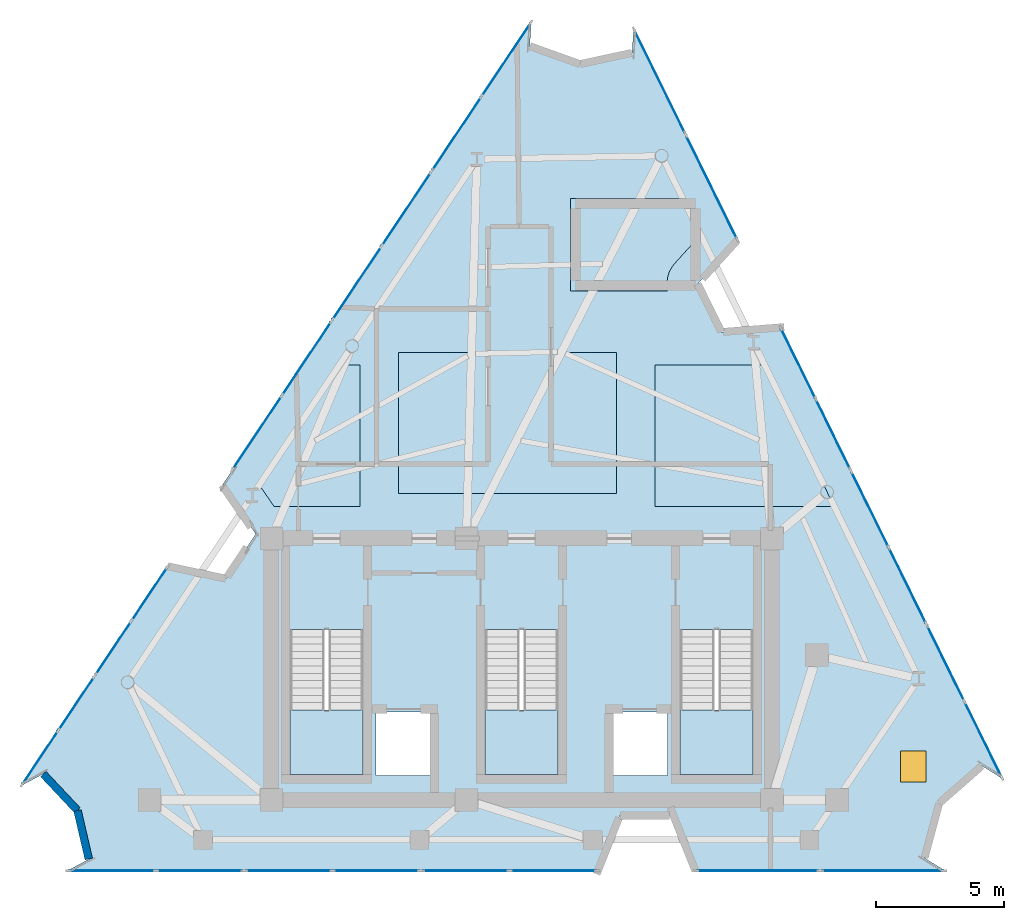
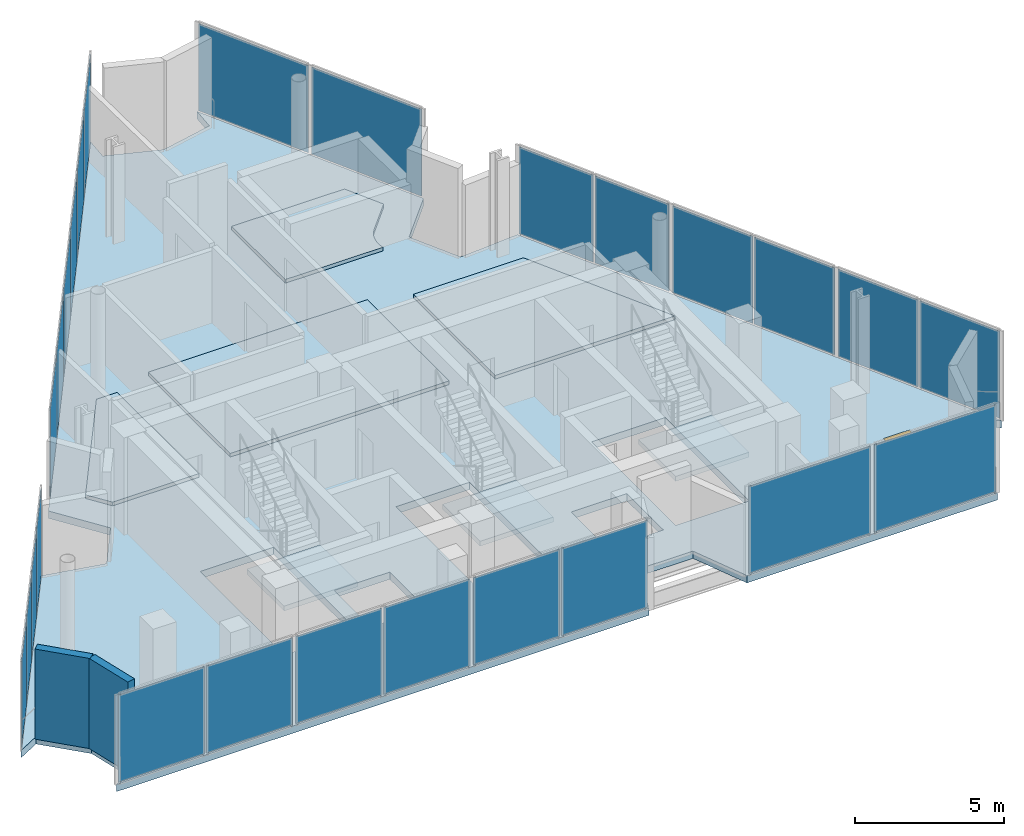
# One storey, part 5 of 9: 26 plates, 8 slabs, 2 walls, 1 door, 1 opening, 18 elements without a shape of their own.
"""IFC4 building model written with IfcOpenShell, lengths in metres."""

from ifc_helpers import new_model, si_unit, direction, frame, frame_2d, origin, origin_2d, place, context, subcontext, project, spatial, polyline, rectangle, outline, extrude, material, layer, layer_set, type_object, element, fill, aggregate, save


model = new_model("IFC4")

# Units and contexts
model_context = context("Model", 3, precision=1e-05, world=origin(), true_north=direction((0.0, 1.0)))
body_context = subcontext(model_context, "Body", "Model", "MODEL_VIEW")
ifc_project = project(units=[si_unit("LENGTHUNIT", "METRE"), si_unit("AREAUNIT", "SQUARE_METRE"), si_unit("VOLUMEUNIT", "CUBIC_METRE"), si_unit("PLANEANGLEUNIT", "RADIAN"), si_unit("MASSUNIT", "GRAM", prefix="KILO")], contexts=[model_context])

# Site, building, storey
site_placement = place(None, origin())
site = spatial("IfcSite", under=ifc_project, at=site_placement, CompositionType="ELEMENT")
building_placement = place(site_placement, origin())
building = spatial("IfcBuilding", under=site, at=building_placement, Name="Almagre Mirador Tower", CompositionType="ELEMENT")
storey_placement = place(building_placement, frame((0.0, 0.0, 306.5)))
storey = spatial("IfcBuildingStorey", under=building, at=storey_placement, Name="L79", CompositionType="ELEMENT", Elevation=306.5)

# Curtain wall, plates
ifc_material_1 = material(Name="Black anodized aluminium", Category="aluminium")
ifc_layer_1 = layer(ifc_material_1, 0.2099609375)
ifc_layer_set_1 = layer_set([ifc_layer_1], Name="Black anodized aluminium")
curtain_wall_type = type_object("IfcCurtainWallType", Name="CW-CRN-SYS", PredefinedType="NOTDEFINED", material=ifc_layer_set_1)
curtain_wall_1_placement = place(storey_placement, origin())
curtain_wall_1 = element("IfcCurtainWall", 1, at=curtain_wall_1_placement, inside=storey, type_object=curtain_wall_type, Name="L79 curtain wall run 01", PredefinedType="NOTDEFINED")
ifc_material_2 = material(Name="Dark solar-control laminated hurricane glass", Category="glass")
ifc_layer_2 = layer(ifc_material_2, 0.030029296875)
ifc_layer_set_2 = layer_set([ifc_layer_2], Name="Dark solar-control laminated hurricane glass")
plate_type = type_object("IfcPlateType", Name="PLT-SPN-30", PredefinedType="CURTAIN_PANEL", material=ifc_layer_set_2)
plate_1_placement = place(storey_placement, frame((18.54296875, 6.208251953125, 0.06494140625), z_axis=(0.0, 0.0, 1.0), x_axis=(0.555266892846, 0.831672217709, 0.0)))
plate_1 = element("IfcPlate", 2, at=plate_1_placement, type_object=plate_type, Name="CW-6 panel 1.1", PredefinedType="CURTAIN_PANEL", context=body_context, shape_type="SweptSolid", body=[
    extrude(rectangle(XDim=2.4599609375, YDim=0.030029296875, at=origin_2d()), origin(), (0.0, 0.0, 1.0), 3.570068359375),
])
plate_2_placement = place(storey_placement, frame((19.94775390625, 8.312255859375, 0.06494140625), z_axis=(0.0, 0.0, 1.0), x_axis=(0.555266892846, 0.831672217709, 0.0)))
plate_2 = element("IfcPlate", 3, at=plate_2_placement, type_object=plate_type, Name="CW-6 panel 2.1", PredefinedType="CURTAIN_PANEL", context=body_context, shape_type="SweptSolid", body=[
    extrude(rectangle(XDim=2.4599609375, YDim=0.030029296875, at=origin_2d()), origin(), (0.0, 0.0, 1.0), 3.570068359375),
])
aggregate(curtain_wall_1, [plate_1, plate_2])

curtain_wall_2_placement = place(storey_placement, origin())
curtain_wall_2 = element("IfcCurtainWall", 4, at=curtain_wall_2_placement, inside=storey, type_object=curtain_wall_type, Name="L79 curtain wall run 02", PredefinedType="NOTDEFINED")
plate_3_placement = place(storey_placement, frame((21.391357421875, 10.474609375, 0.06494140625), z_axis=(0.0, 0.0, 1.0), x_axis=(0.555266892846, 0.831672217709, 0.0)))
plate_3 = element("IfcPlate", 5, at=plate_3_placement, type_object=plate_type, Name="CW-6 panel 1.1", PredefinedType="CURTAIN_PANEL", context=body_context, shape_type="SweptSolid", body=[
    extrude(rectangle(XDim=2.4599609375, YDim=0.030029296875, at=origin_2d()), origin(), (0.0, 0.0, 1.0), 3.570068359375),
])
plate_4_placement = place(storey_placement, frame((22.796142578125, 12.57861328125, 0.06494140625), z_axis=(0.0, 0.0, 1.0), x_axis=(0.555266892846, 0.831672217709, 0.0)))
plate_4 = element("IfcPlate", 6, at=plate_4_placement, type_object=plate_type, Name="CW-6 panel 2.1", PredefinedType="CURTAIN_PANEL", context=body_context, shape_type="SweptSolid", body=[
    extrude(rectangle(XDim=2.4599609375, YDim=0.030029296875, at=origin_2d()), origin(), (0.0, 0.0, 1.0), 3.570068359375),
])
aggregate(curtain_wall_2, [plate_3, plate_4])

curtain_wall_3_placement = place(storey_placement, origin())
curtain_wall_3 = element("IfcCurtainWall", 7, at=curtain_wall_3_placement, inside=storey, type_object=curtain_wall_type, Name="L79 curtain wall run 03", PredefinedType="NOTDEFINED")
plate_5_placement = place(storey_placement, frame((26.996337890625, 18.87060546875, 0.06494140625), z_axis=(0.0, 0.0, 1.0), x_axis=(0.555217461378, 0.831705218561, 0.0)))
plate_5 = element("IfcPlate", 8, at=plate_5_placement, type_object=plate_type, Name="CW-6 panel 1.1", PredefinedType="CURTAIN_PANEL", context=body_context, shape_type="SweptSolid", body=[
    extrude(rectangle(XDim=3.396484375, YDim=0.030029296875, at=origin_2d()), origin(), (0.0, 0.0, 1.0), 3.570068359375),
])
plate_6_placement = place(storey_placement, frame((28.9208984375, 21.753662109375, 0.06494140625), z_axis=(0.0, 0.0, 1.0), x_axis=(0.555217461378, 0.831705218561, 0.0)))
plate_6 = element("IfcPlate", 9, at=plate_6_placement, type_object=plate_type, Name="CW-6 panel 2.1", PredefinedType="CURTAIN_PANEL", context=body_context, shape_type="SweptSolid", body=[
    extrude(rectangle(XDim=3.396484375, YDim=0.030029296875, at=origin_2d()), origin(), (0.0, 0.0, 1.0), 3.570068359375),
])
aggregate(curtain_wall_3, [plate_5, plate_6])

curtain_wall_4_placement = place(storey_placement, origin())
curtain_wall_4 = element("IfcCurtainWall", 10, at=curtain_wall_4_placement, inside=storey, type_object=curtain_wall_type, Name="L79 curtain wall run 04", PredefinedType="NOTDEFINED")
plate_7_placement = place(storey_placement, frame((30.88427734375, 24.69482421875, 0.06494140625), z_axis=(0.0, 0.0, 1.0), x_axis=(0.555233933367, 0.831694222198, 0.0)))
plate_7 = element("IfcPlate", 11, at=plate_7_placement, type_object=plate_type, Name="CW-6 panel 1.1", PredefinedType="CURTAIN_PANEL", context=body_context, shape_type="SweptSolid", body=[
    extrude(rectangle(XDim=3.396484375, YDim=0.030029296875, at=origin_2d()), origin(), (0.0, 0.0, 1.0), 3.570068359375),
])
plate_8_placement = place(storey_placement, frame((32.80908203125, 27.577880859375, 0.06494140625), z_axis=(0.0, 0.0, 1.0), x_axis=(0.555233933367, 0.831694222198, 0.0)))
plate_8 = element("IfcPlate", 12, at=plate_8_placement, type_object=plate_type, Name="CW-6 panel 2.1", PredefinedType="CURTAIN_PANEL", context=body_context, shape_type="SweptSolid", body=[
    extrude(rectangle(XDim=3.396484375, YDim=0.030029296875, at=origin_2d()), origin(), (0.0, 0.0, 1.0), 3.570068359375),
])
aggregate(curtain_wall_4, [plate_7, plate_8])

curtain_wall_5_placement = place(storey_placement, origin())
curtain_wall_5 = element("IfcCurtainWall", 13, at=curtain_wall_5_placement, inside=storey, type_object=curtain_wall_type, Name="L79 curtain wall run 05", PredefinedType="NOTDEFINED")
plate_9_placement = place(storey_placement, frame((34.7724609375, 30.51904296875, 0.06494140625), z_axis=(0.0, 0.0, 1.0), x_axis=(0.555217461378, 0.831705218561, 0.0)))
plate_9 = element("IfcPlate", 14, at=plate_9_placement, type_object=plate_type, Name="CW-6 panel 1.1", PredefinedType="CURTAIN_PANEL", context=body_context, shape_type="SweptSolid", body=[
    extrude(rectangle(XDim=3.396484375, YDim=0.030029296875, at=origin_2d()), origin(), (0.0, 0.0, 1.0), 3.570068359375),
])
plate_10_placement = place(storey_placement, frame((36.697265625, 33.402099609375, 0.06494140625), z_axis=(0.0, 0.0, 1.0), x_axis=(0.555217461378, 0.831705218561, 0.0)))
plate_10 = element("IfcPlate", 15, at=plate_10_placement, type_object=plate_type, Name="CW-6 panel 2.1", PredefinedType="CURTAIN_PANEL", context=body_context, shape_type="SweptSolid", body=[
    extrude(rectangle(XDim=3.396484375, YDim=0.030029296875, at=origin_2d()), origin(), (0.0, 0.0, 1.0), 3.570068359375),
])
aggregate(curtain_wall_5, [plate_9, plate_10])

# Curtain wall, plate
curtain_wall_6_placement = place(storey_placement, origin())
curtain_wall_6 = element("IfcCurtainWall", 16, at=curtain_wall_6_placement, inside=storey, type_object=curtain_wall_type, Name="L79 curtain wall run 06", PredefinedType="NOTDEFINED")
plate_11_placement = place(storey_placement, frame((42.6767578125, 32.55322265625, 0.06494140625), z_axis=(0.0, 0.0, 1.0), x_axis=(0.441228690585, -0.897394697223, 0.0)))
plate_11 = element("IfcPlate", 17, at=plate_11_placement, type_object=plate_type, Name="CW-6 panel 1.1", PredefinedType="CURTAIN_PANEL", context=body_context, shape_type="SweptSolid", body=[
    extrude(rectangle(XDim=4.44580078125, YDim=0.030029296875, at=origin_2d()), origin(), (0.0, 0.0, 1.0), 3.570068359375),
])
aggregate(curtain_wall_6, [plate_11])

curtain_wall_7_placement = place(storey_placement, origin())
curtain_wall_7 = element("IfcCurtainWall", 18, at=curtain_wall_7_placement, inside=storey, type_object=curtain_wall_type, Name="L79 curtain wall run 07", PredefinedType="NOTDEFINED")
plate_12_placement = place(storey_placement, frame((44.7001953125, 28.437744140625, 0.06494140625), z_axis=(0.0, 0.0, 1.0), x_axis=(0.441228690585, -0.897394697223, 0.0)))
plate_12 = element("IfcPlate", 19, at=plate_12_placement, type_object=plate_type, Name="CW-6 panel 1.1", PredefinedType="CURTAIN_PANEL", context=body_context, shape_type="SweptSolid", body=[
    extrude(rectangle(XDim=4.44580078125, YDim=0.030029296875, at=origin_2d()), origin(), (0.0, 0.0, 1.0), 3.570068359375),
])
aggregate(curtain_wall_7, [plate_12])

# Curtain wall, plates
curtain_wall_8_placement = place(storey_placement, origin())
curtain_wall_8 = element("IfcCurtainWall", 20, at=curtain_wall_8_placement, inside=storey, type_object=curtain_wall_type, Name="L79 curtain wall run 08", PredefinedType="NOTDEFINED")
plate_13_placement = place(storey_placement, frame((48.08154296875, 21.561767578125, 0.06494140625), z_axis=(0.0, 0.0, 1.0), x_axis=(0.44130072712, -0.897359274897, 0.0)))
plate_13 = element("IfcPlate", 21, at=plate_13_placement, type_object=plate_type, Name="CW-6 panel 1.1", PredefinedType="CURTAIN_PANEL", context=body_context, shape_type="SweptSolid", body=[
    extrude(rectangle(XDim=2.99853515625, YDim=0.030029296875, at=origin_2d()), origin(), (0.0, 0.0, 1.0), 3.570068359375),
])
plate_14_placement = place(storey_placement, frame((49.435791015625, 18.80810546875, 0.06494140625), z_axis=(0.0, 0.0, 1.0), x_axis=(0.44130072712, -0.897359274897, 0.0)))
plate_14 = element("IfcPlate", 22, at=plate_14_placement, type_object=plate_type, Name="CW-6 panel 2.1", PredefinedType="CURTAIN_PANEL", context=body_context, shape_type="SweptSolid", body=[
    extrude(rectangle(XDim=2.99853515625, YDim=0.030029296875, at=origin_2d()), origin(), (0.0, 0.0, 1.0), 3.570068359375),
])
aggregate(curtain_wall_8, [plate_13, plate_14])

curtain_wall_9_placement = place(storey_placement, origin())
curtain_wall_9 = element("IfcCurtainWall", 23, at=curtain_wall_9_placement, inside=storey, type_object=curtain_wall_type, Name="L79 curtain wall run 09", PredefinedType="NOTDEFINED")
plate_15_placement = place(storey_placement, frame((50.874267578125, 15.883056640625, 0.06494140625), z_axis=(0.0, 0.0, 1.0), x_axis=(0.441310581967, -0.897354428441, 0.0)))
plate_15 = element("IfcPlate", 24, at=plate_15_placement, type_object=plate_type, Name="CW-6 panel 1.1", PredefinedType="CURTAIN_PANEL", context=body_context, shape_type="SweptSolid", body=[
    extrude(rectangle(XDim=3.2412109375, YDim=0.030029296875, at=origin_2d()), origin(), (0.0, 0.0, 1.0), 3.570068359375),
])
plate_16_placement = place(storey_placement, frame((52.33544921875, 12.91162109375, 0.06494140625), z_axis=(0.0, 0.0, 1.0), x_axis=(0.441310581967, -0.897354428441, 0.0)))
plate_16 = element("IfcPlate", 25, at=plate_16_placement, type_object=plate_type, Name="CW-6 panel 2.1", PredefinedType="CURTAIN_PANEL", context=body_context, shape_type="SweptSolid", body=[
    extrude(rectangle(XDim=3.2412109375, YDim=0.030029296875, at=origin_2d()), origin(), (0.0, 0.0, 1.0), 3.570068359375),
])
aggregate(curtain_wall_9, [plate_15, plate_16])

curtain_wall_10_placement = place(storey_placement, origin())
curtain_wall_10 = element("IfcCurtainWall", 26, at=curtain_wall_10_placement, inside=storey, type_object=curtain_wall_type, Name="L79 curtain wall run 10", PredefinedType="NOTDEFINED")
plate_17_placement = place(storey_placement, frame((53.82763671875, 9.87744140625, 0.06494140625), z_axis=(0.0, 0.0, 1.0), x_axis=(0.441298549508, -0.897360345793, 0.0)))
plate_17 = element("IfcPlate", 27, at=plate_17_placement, type_object=plate_type, Name="CW-6 panel 1.1", PredefinedType="CURTAIN_PANEL", context=body_context, shape_type="SweptSolid", body=[
    extrude(rectangle(XDim=3.2412109375, YDim=0.030029296875, at=origin_2d()), origin(), (0.0, 0.0, 1.0), 3.570068359375),
])
plate_18_placement = place(storey_placement, frame((55.288818359375, 6.90625, 0.06494140625), z_axis=(0.0, 0.0, 1.0), x_axis=(0.441298549508, -0.897360345793, 0.0)))
plate_18 = element("IfcPlate", 28, at=plate_18_placement, type_object=plate_type, Name="CW-6 panel 2.1", PredefinedType="CURTAIN_PANEL", context=body_context, shape_type="SweptSolid", body=[
    extrude(rectangle(XDim=3.2412109375, YDim=0.030029296875, at=origin_2d()), origin(), (0.0, 0.0, 1.0), 3.570068359375),
])
aggregate(curtain_wall_10, [plate_17, plate_18])

# Curtain wall, plate
curtain_wall_11_placement = place(storey_placement, origin())
curtain_wall_11 = element("IfcCurtainWall", 29, at=curtain_wall_11_placement, inside=storey, type_object=curtain_wall_type, Name="L79 curtain wall run 11", PredefinedType="NOTDEFINED")
plate_19_placement = place(storey_placement, frame((51.367919921875, 1.800048828125, 0.06494140625), z_axis=(0.0, 0.0, 1.0), x_axis=(-1.0, 0.0, 0.0)))
plate_19 = element("IfcPlate", 30, at=plate_19_placement, type_object=plate_type, Name="CW-6 panel 1.1", PredefinedType="CURTAIN_PANEL", context=body_context, shape_type="SweptSolid", body=[
    extrude(rectangle(XDim=4.723876953125, YDim=0.030029296875, at=origin_2d()), origin(), (0.0, 0.0, 1.0), 3.570068359375),
])
aggregate(curtain_wall_11, [plate_19])

curtain_wall_12_placement = place(storey_placement, origin())
curtain_wall_12 = element("IfcCurtainWall", 31, at=curtain_wall_12_placement, inside=storey, type_object=curtain_wall_type, Name="L79 curtain wall run 12", PredefinedType="NOTDEFINED")
plate_20_placement = place(storey_placement, frame((46.504150390625, 1.800048828125, 0.06494140625), z_axis=(0.0, 0.0, 1.0), x_axis=(-1.0, 0.0, 0.0)))
plate_20 = element("IfcPlate", 32, at=plate_20_placement, type_object=plate_type, Name="CW-6 panel 1.1", PredefinedType="CURTAIN_PANEL", context=body_context, shape_type="SweptSolid", body=[
    extrude(rectangle(XDim=4.723876953125, YDim=0.030029296875, at=origin_2d()), origin(), (0.0, 0.0, 1.0), 3.570068359375),
])
aggregate(curtain_wall_12, [plate_20])

# Curtain wall, plates
curtain_wall_13_placement = place(storey_placement, origin())
curtain_wall_13 = element("IfcCurtainWall", 33, at=curtain_wall_13_placement, inside=storey, type_object=curtain_wall_type, Name="L79 curtain wall run 13", PredefinedType="NOTDEFINED")
plate_21_placement = place(storey_placement, frame((38.53173828125, 1.800048828125, 0.06494140625), z_axis=(0.0, 0.0, 1.0), x_axis=(-1.0, 0.0, 0.0)))
plate_21 = element("IfcPlate", 34, at=plate_21_placement, type_object=plate_type, Name="CW-6 panel 1.1", PredefinedType="CURTAIN_PANEL", context=body_context, shape_type="SweptSolid", body=[
    extrude(rectangle(XDim=3.34033203125, YDim=0.030029296875, at=origin_2d()), origin(), (0.0, 0.0, 1.0), 3.570068359375),
])
plate_22_placement = place(storey_placement, frame((35.121337890625, 1.800048828125, 0.06494140625), z_axis=(0.0, 0.0, 1.0), x_axis=(-1.0, 0.0, 0.0)))
plate_22 = element("IfcPlate", 35, at=plate_22_placement, type_object=plate_type, Name="CW-6 panel 2.1", PredefinedType="CURTAIN_PANEL", context=body_context, shape_type="SweptSolid", body=[
    extrude(rectangle(XDim=3.34033203125, YDim=0.030029296875, at=origin_2d()), origin(), (0.0, 0.0, 1.0), 3.570068359375),
])
aggregate(curtain_wall_13, [plate_21, plate_22])

curtain_wall_14_placement = place(storey_placement, origin())
curtain_wall_14 = element("IfcCurtainWall", 36, at=curtain_wall_14_placement, inside=storey, type_object=curtain_wall_type, Name="L79 curtain wall run 14", PredefinedType="NOTDEFINED")
plate_23_placement = place(storey_placement, frame((31.64111328125, 1.800048828125, 0.06494140625), z_axis=(0.0, 0.0, 1.0), x_axis=(-1.0, 0.0, 0.0)))
plate_23 = element("IfcPlate", 37, at=plate_23_placement, type_object=plate_type, Name="CW-6 panel 1.1", PredefinedType="CURTAIN_PANEL", context=body_context, shape_type="SweptSolid", body=[
    extrude(rectangle(XDim=3.34033203125, YDim=0.030029296875, at=origin_2d()), origin(), (0.0, 0.0, 1.0), 3.570068359375),
])
plate_24_placement = place(storey_placement, frame((28.230712890625, 1.800048828125, 0.06494140625), z_axis=(0.0, 0.0, 1.0), x_axis=(-1.0, 0.0, 0.0)))
plate_24 = element("IfcPlate", 38, at=plate_24_placement, type_object=plate_type, Name="CW-6 panel 2.1", PredefinedType="CURTAIN_PANEL", context=body_context, shape_type="SweptSolid", body=[
    extrude(rectangle(XDim=3.34033203125, YDim=0.030029296875, at=origin_2d()), origin(), (0.0, 0.0, 1.0), 3.570068359375),
])
aggregate(curtain_wall_14, [plate_23, plate_24])

curtain_wall_15_placement = place(storey_placement, origin())
curtain_wall_15 = element("IfcCurtainWall", 39, at=curtain_wall_15_placement, inside=storey, type_object=curtain_wall_type, Name="L79 curtain wall run 15", PredefinedType="NOTDEFINED")
plate_25_placement = place(storey_placement, frame((24.75048828125, 1.800048828125, 0.06494140625), z_axis=(0.0, 0.0, 1.0), x_axis=(-1.0, 0.0, 0.0)))
plate_25 = element("IfcPlate", 40, at=plate_25_placement, type_object=plate_type, Name="CW-6 panel 1.1", PredefinedType="CURTAIN_PANEL", context=body_context, shape_type="SweptSolid", body=[
    extrude(rectangle(XDim=3.34033203125, YDim=0.030029296875, at=origin_2d()), origin(), (0.0, 0.0, 1.0), 3.570068359375),
])
plate_26_placement = place(storey_placement, frame((21.34033203125, 1.800048828125, 0.06494140625), z_axis=(0.0, 0.0, 1.0), x_axis=(-1.0, 0.0, 0.0)))
plate_26 = element("IfcPlate", 41, at=plate_26_placement, type_object=plate_type, Name="CW-6 panel 2.1", PredefinedType="CURTAIN_PANEL", context=body_context, shape_type="SweptSolid", body=[
    extrude(rectangle(XDim=3.34033203125, YDim=0.030029296875, at=origin_2d()), origin(), (0.0, 0.0, 1.0), 3.570068359375),
])
aggregate(curtain_wall_15, [plate_25, plate_26])

# Slab, opening, door
ifc_material_3 = material(Name="Concrete C45/55", Category="concrete")
ifc_layer_3 = layer(ifc_material_3, 0.300048828125)
ifc_layer_set_3 = layer_set([ifc_layer_3], Name="Concrete C45/55")
slab_type_1 = type_object("IfcSlabType", Name="SLB-FLR-300", PredefinedType="FLOOR", material=ifc_layer_set_3)
slab_1_placement = place(storey_placement, frame((0.0, 0.0, -0.300048828125)))
slab_1 = element("IfcSlab", 42, at=slab_1_placement, inside=storey, type_object=slab_type_1, Name="L79 structural floor slab", PredefinedType="FLOOR", context=body_context, shape_type="SweptSolid", body=[
    extrude(outline(polyline([(17.8212890625, 5.127197265625), (18.647216796875, 5.568359375), (18.648193359375, 5.56884765625), (18.649169921875, 5.569091796875), (18.650146484375, 5.5693359375), (18.651123046875, 5.569580078125), (18.652099609375, 5.569580078125), (18.653076171875, 5.569580078125), (18.654052734375, 5.5693359375), (18.655029296875, 5.569091796875), (18.656005859375, 5.568603515625), (18.656982421875, 5.568359375), (18.65771484375, 5.567626953125), (18.658447265625, 5.567138671875), (18.6591796875, 5.56640625), (19.9892578125, 4.14990234375), (19.98974609375, 4.149169921875), (19.990478515625, 4.148193359375), (19.990966796875, 4.1474609375), (19.9912109375, 4.146484375), (19.99169921875, 4.1455078125), (20.431396484375, 2.25341796875), (20.431396484375, 2.25244140625), (20.431396484375, 2.25146484375), (20.431396484375, 2.25048828125), (20.431396484375, 2.24951171875), (20.43115234375, 2.24853515625), (20.430908203125, 2.24755859375), (20.430419921875, 2.24658203125), (20.429931640625, 2.245849609375), (20.42919921875, 2.244873046875), (20.4287109375, 2.244140625), (20.427978515625, 2.243408203125), (20.427001953125, 2.242919921875), (20.42626953125, 2.242431640625), (19.60009765625, 1.800048828125), (19.60009765625, 1.800048828125), (19.60009765625, 1.800048828125), (40.271728515625, 1.800048828125), (40.27197265625, 1.800048828125), (40.272216796875, 1.80029296875), (41.12451171875, 3.943603515625), (41.125, 3.944580078125), (41.12548828125, 3.945556640625), (41.1259765625, 3.9462890625), (41.126708984375, 3.947021484375), (41.12744140625, 3.94775390625), (41.128173828125, 3.9482421875), (41.12890625, 3.94873046875), (41.1298828125, 3.94921875), (41.130859375, 3.94970703125), (41.1318359375, 3.94970703125), (41.1328125, 3.949951171875), (41.1337890625, 3.949951171875), (43.210205078125, 3.949951171875), (43.211181640625, 3.949951171875), (43.212158203125, 3.94970703125), (43.213134765625, 3.94970703125), (43.214111328125, 3.94921875), (43.215087890625, 3.94873046875), (43.2158203125, 3.9482421875), (43.216552734375, 3.94775390625), (43.21728515625, 3.947021484375), (43.218017578125, 3.9462890625), (43.218505859375, 3.945556640625), (43.218994140625, 3.944580078125), (43.219482421875, 3.943603515625), (44.072021484375, 1.80029296875), (44.072021484375, 1.800048828125), (44.072265625, 1.800048828125), (53.7998046875, 1.800048828125), (53.800048828125, 1.800048828125), (53.7998046875, 1.800048828125), (53.00439453125, 2.295166015625), (53.00341796875, 2.295654296875), (53.002685546875, 2.29638671875), (53.002197265625, 2.297119140625), (53.00146484375, 2.297607421875), (53.0009765625, 2.298583984375), (53.00048828125, 2.29931640625), (53.0, 2.30029296875), (52.999755859375, 2.30126953125), (52.999755859375, 2.30224609375), (52.99951171875, 2.30322265625), (52.99951171875, 2.30419921875), (52.999755859375, 2.30517578125), (53.0, 2.30615234375), (53.5712890625, 4.42919921875), (53.571533203125, 4.429931640625), (53.572021484375, 4.430908203125), (53.572509765625, 4.431884765625), (53.572998046875, 4.4326171875), (53.573486328125, 4.433349609375), (53.57421875, 4.43408203125), (55.227294921875, 5.884033203125), (55.228271484375, 5.884765625), (55.22900390625, 5.88525390625), (55.22998046875, 5.8857421875), (55.230712890625, 5.885986328125), (55.231689453125, 5.88623046875), (55.232666015625, 5.886474609375), (55.233642578125, 5.88671875), (55.234619140625, 5.88671875), (55.235595703125, 5.886474609375), (55.236572265625, 5.88623046875), (55.237548828125, 5.885986328125), (55.23828125, 5.885498046875), (55.2392578125, 5.885009765625), (56.034912109375, 5.38916015625), (56.034912109375, 5.388916015625), (56.034912109375, 5.38916015625), (50.128173828125, 17.39990234375), (47.38916015625, 22.9697265625), (47.388916015625, 22.969970703125), (47.388916015625, 22.969970703125), (45.08984375, 22.78955078125), (45.0888671875, 22.78955078125), (45.087890625, 22.78955078125), (45.0869140625, 22.789794921875), (45.085693359375, 22.7900390625), (45.0849609375, 22.790283203125), (45.083984375, 22.790771484375), (45.083251953125, 22.791259765625), (45.08251953125, 22.7919921875), (45.081787109375, 22.79248046875), (45.0810546875, 22.79345703125), (45.08056640625, 22.794189453125), (45.080078125, 22.795166015625), (44.1630859375, 24.657958984375), (44.16259765625, 24.65869140625), (44.162353515625, 24.659912109375), (44.162109375, 24.66064453125), (44.162109375, 24.66162109375), (44.162109375, 24.66259765625), (44.162109375, 24.663818359375), (44.162353515625, 24.664794921875), (44.16259765625, 24.66552734375), (44.162841796875, 24.66650390625), (44.163330078125, 24.66748046875), (44.163818359375, 24.668212890625), (44.16455078125, 24.6689453125), (45.7119140625, 26.3798828125), (45.7119140625, 26.3798828125), (45.7119140625, 26.380126953125), (41.6650390625, 34.61083984375), (41.6650390625, 34.611083984375), (41.6650390625, 34.61083984375), (41.603515625, 33.675537109375), (41.603515625, 33.674560546875), (41.603271484375, 33.673583984375), (41.602783203125, 33.672607421875), (41.6025390625, 33.671630859375), (41.60205078125, 33.6708984375), (41.601318359375, 33.669921875), (41.600830078125, 33.669189453125), (41.60009765625, 33.668701171875), (41.59912109375, 33.66796875), (41.598388671875, 33.66748046875), (41.597412109375, 33.6669921875), (41.5966796875, 33.666748046875), (41.595703125, 33.66650390625), (39.57568359375, 33.231689453125), (39.574951171875, 33.2314453125), (39.573974609375, 33.2314453125), (39.572998046875, 33.2314453125), (39.572021484375, 33.2314453125), (39.5712890625, 33.231689453125), (39.5703125, 33.23193359375), (37.6240234375, 33.927490234375), (37.623291015625, 33.927734375), (37.622314453125, 33.92822265625), (37.62158203125, 33.928955078125), (37.62060546875, 33.929443359375), (37.6201171875, 33.93017578125), (37.619384765625, 33.930908203125), (37.618896484375, 33.931884765625), (37.618408203125, 33.9326171875), (37.617919921875, 33.93359375), (37.61767578125, 33.9345703125), (37.61767578125, 33.935546875), (37.617431640625, 33.9365234375), (37.617431640625, 33.9375), (37.678955078125, 34.872802734375), (37.678955078125, 34.873046875), (37.678955078125, 34.872802734375), (26.014404296875, 17.39990234375), (25.628173828125, 16.8212890625), (25.6279296875, 16.821044921875), (25.628173828125, 16.82080078125), (26.937255859375, 14.921630859375), (26.937744140625, 14.920654296875), (26.93798828125, 14.919921875), (26.9384765625, 14.9189453125), (26.938720703125, 14.91796875), (26.93896484375, 14.9169921875), (26.93896484375, 14.916015625), (26.93896484375, 14.9150390625), (26.938720703125, 14.9140625), (26.9384765625, 14.9130859375), (26.938232421875, 14.912109375), (26.937744140625, 14.9111328125), (26.937255859375, 14.910400390625), (25.784912109375, 13.18359375), (25.7841796875, 13.182861328125), (25.783447265625, 13.18212890625), (25.78271484375, 13.181396484375), (25.781982421875, 13.180908203125), (25.781005859375, 13.180419921875), (25.7802734375, 13.179931640625), (25.779296875, 13.1796875), (25.7783203125, 13.179443359375), (25.77734375, 13.17919921875), (25.7763671875, 13.17919921875), (25.775390625, 13.17919921875), (25.7744140625, 13.179443359375), (23.518310546875, 13.659912109375), (23.51806640625, 13.659912109375), (23.517822265625, 13.659912109375), (17.821044921875, 5.127197265625), (17.821044921875, 5.126953125), (17.8212890625, 5.127197265625)]), holes=[polyline([(43.47509765625, 5.550048828125), (43.47509765625, 11.196044921875), (46.324951171875, 11.196044921875), (46.324951171875, 5.550048828125), (43.47509765625, 5.550048828125)]), polyline([(42.97998046875, 7.97998046875), (42.97998046875, 5.52001953125), (40.820068359375, 5.52001953125), (40.820068359375, 7.97998046875), (42.97998046875, 7.97998046875)]), polyline([(35.875, 5.550048828125), (35.875, 11.196044921875), (38.72509765625, 11.196044921875), (38.72509765625, 5.550048828125), (35.875, 5.550048828125)]), polyline([(33.780029296875, 7.97998046875), (33.780029296875, 5.52001953125), (31.6201171875, 5.52001953125), (31.6201171875, 7.97998046875), (33.780029296875, 7.97998046875)]), polyline([(31.125, 5.550048828125), (28.27490234375, 5.550048828125), (28.27490234375, 11.196044921875), (31.125, 11.196044921875), (31.125, 5.550048828125)])]), origin(), (0.0, 0.0, 1.0), 0.300048828125),
])
opening_placement = place(slab_1_placement, frame((52.56103515625, 5.85595703125, 0.0)))
opening = element("IfcOpeningElement", 43, at=opening_placement, cuts=slab_1, Name="Opening RH-01", PredefinedType="OPENING", context=body_context, shape_type="SweptSolid", body=[
    extrude(rectangle(XDim=1.0, YDim=1.199951171875, at=origin_2d()), origin(), (0.0, 0.0, 1.0), 0.300048828125),
])
ifc_material_4 = material(Name="Insulated aluminium roof hatch", Category="aluminium")
door_type = type_object("IfcDoorType", Name="DOR-HAT-1000X1200", OperationType="SINGLE_SWING_LEFT", PredefinedType="TRAPDOOR", material=ifc_material_4)
door_placement = place(opening_placement, frame((0.0, 0.0, 0.25)))
door = element("IfcDoor", 44, at=door_placement, inside=storey, type_object=door_type, Name="DR-2333 L79 mechanical access hatch RH-03", OperationType="SINGLE_SWING_LEFT", OverallHeight=1.199951171875, OverallWidth=1.0, PredefinedType="TRAPDOOR", context=body_context, shape_type="SweptSolid", body=[
    extrude(rectangle(XDim=1.0, YDim=1.199951171875, at=origin_2d()), origin(), (0.0, 0.0, 1.0), 0.050048828125),
])
fill(opening, door)

# Stair, slab
ifc_material_5 = material(Name="Concrete C45/55", Category="concrete")
stair_type = type_object("IfcStairType", Name="STR-DL-4000", PredefinedType="HALF_TURN_STAIR", material=ifc_material_5)
stair_1_placement = place(storey_placement, origin())
stair_1 = element("IfcStair", 45, at=stair_1_placement, inside=storey, type_object=stair_type, Name="L79 Protected exit stair ST-1", PredefinedType="HALF_TURN_STAIR")
ifc_material_6 = material(Name="Concrete C45/55", Category="concrete")
ifc_layer_4 = layer(ifc_material_6, 0.199951171875)
ifc_layer_set_4 = layer_set([ifc_layer_4], Name="Concrete C45/55")
slab_type_2 = type_object("IfcSlabType", Name="SLB-LND-200", PredefinedType="LANDING", material=ifc_layer_set_4)
slab_2_placement = place(storey_placement, frame((0.0, 0.0, 1.800048828125)))
slab_2 = element("IfcSlab", 46, at=slab_2_placement, type_object=slab_type_2, Name="ST-1 landing 1", PredefinedType="LANDING", context=body_context, shape_type="SweptSolid", body=[
    extrude(outline(polyline([(28.27490234375, 8.06494140625), (28.27490234375, 5.550048828125), (31.125, 5.550048828125), (31.125, 8.06494140625), (28.27490234375, 8.06494140625)])), origin(), (0.0, 0.0, 1.0), 0.199951171875),
])
aggregate(stair_1, [slab_2])

stair_2_placement = place(storey_placement, origin())
stair_2 = element("IfcStair", 47, at=stair_2_placement, inside=storey, type_object=stair_type, Name="L79 Protected exit stair ST-2", PredefinedType="HALF_TURN_STAIR")
slab_3_placement = place(storey_placement, frame((0.0, 0.0, 1.800048828125)))
slab_3 = element("IfcSlab", 48, at=slab_3_placement, type_object=slab_type_2, Name="ST-2 landing 1", PredefinedType="LANDING", context=body_context, shape_type="SweptSolid", body=[
    extrude(outline(polyline([(35.875, 8.06494140625), (35.875, 5.550048828125), (38.72509765625, 5.550048828125), (38.72509765625, 8.06494140625), (35.875, 8.06494140625)])), origin(), (0.0, 0.0, 1.0), 0.199951171875),
])
aggregate(stair_2, [slab_3])

stair_3_placement = place(storey_placement, origin())
stair_3 = element("IfcStair", 49, at=stair_3_placement, inside=storey, type_object=stair_type, Name="L79 Protected exit stair ST-3", PredefinedType="HALF_TURN_STAIR")
slab_4_placement = place(storey_placement, frame((0.0, 0.0, 1.800048828125)))
slab_4 = element("IfcSlab", 50, at=slab_4_placement, type_object=slab_type_2, Name="ST-3 landing 1", PredefinedType="LANDING", context=body_context, shape_type="SweptSolid", body=[
    extrude(outline(polyline([(43.47509765625, 8.06494140625), (43.47509765625, 5.550048828125), (46.324951171875, 5.550048828125), (46.324951171875, 8.06494140625), (43.47509765625, 8.06494140625)])), origin(), (0.0, 0.0, 1.0), 0.199951171875),
])
aggregate(stair_3, [slab_4])

# Slabs
ifc_material_7 = material(Name="Concrete C45/55", Category="concrete")
ifc_layer_5 = layer(ifc_material_7, 0.14990234375)
ifc_layer_set_5 = layer_set([ifc_layer_5], Name="Concrete C45/55")
slab_type_3 = type_object("IfcSlabType", Name="SLB-PLN-150", PredefinedType="FLOOR", material=ifc_layer_set_5)
slab_5_placement = place(storey_placement, origin())
element("IfcSlab", 51, at=slab_5_placement, inside=storey, type_object=slab_type_3, Name="L79 Chiller Plant Plinth", PredefinedType="FLOOR", context=body_context, shape_type="SweptSolid", body=[
    extrude(outline(polyline([(30.1943359375, 21.5), (27.077880859375, 16.831787109375), (27.6513671875, 16.0), (31.0, 16.0), (31.0, 21.5), (30.1943359375, 21.5)])), origin(), (0.0, 0.0, 1.0), 0.14990234375),
])
slab_6_placement = place(storey_placement, origin())
element("IfcSlab", 52, at=slab_6_placement, inside=storey, type_object=slab_type_3, Name="L79 Cooling Tower Plant Plinth", PredefinedType="FLOOR", context=body_context, shape_type="SweptSolid", body=[
    extrude(outline(polyline([(49.4794921875, 16.0), (49.051513671875, 16.870361328125), (46.7744140625, 21.5), (42.5, 21.5), (42.5, 16.0), (49.4794921875, 16.0)])), origin(), (0.0, 0.0, 1.0), 0.14990234375),
])
slab_7_placement = place(storey_placement, origin())
element("IfcSlab", 53, at=slab_7_placement, inside=storey, type_object=slab_type_3, Name="L79 Air Handling Unit Plant Plinth", PredefinedType="FLOOR", context=body_context, shape_type="SweptSolid", body=[
    extrude(outline(polyline([(32.5, 16.5), (41.0, 16.5), (41.0, 22.0), (32.5, 22.0), (32.5, 16.5)])), origin(), (0.0, 0.0, 1.0), 0.14990234375),
])
slab_8_placement = place(storey_placement, origin())
element("IfcSlab", 54, at=slab_8_placement, inside=storey, type_object=slab_type_3, Name="L79 Crown Tuned Liquid Damper Tank Plinth", PredefinedType="FLOOR", context=body_context, shape_type="SweptSolid", body=[
    extrude(outline(polyline([(42.9912109375, 24.39990234375), (42.98828125, 24.410888671875), (42.98828125, 24.411865234375), (42.96923828125, 24.529541015625), (42.96923828125, 24.530517578125), (42.9619140625, 24.6494140625), (42.9619140625, 24.650390625), (42.966796875, 24.76953125), (42.966796875, 24.7705078125), (42.9833984375, 24.888671875), (42.9833984375, 24.8896484375), (43.01171875, 25.005615234375), (43.011962890625, 25.006591796875), (43.051513671875, 25.118896484375), (43.0517578125, 25.119873046875), (43.102294921875, 25.227783203125), (43.102783203125, 25.228759765625), (43.163818359375, 25.331298828125), (43.164306640625, 25.33203125), (43.235107421875, 25.427978515625), (43.235595703125, 25.4287109375), (43.2744140625, 25.473876953125), (44.27587890625, 26.581298828125), (43.578125, 28.0), (39.199951171875, 28.0), (39.199951171875, 24.39990234375), (42.9912109375, 24.39990234375)])), origin(), (0.0, 0.0, 1.0), 0.14990234375),
])

# Walls
ifc_material_8 = material(Name="Precast concrete C50/60", Category="concrete")
ifc_layer_6 = layer(ifc_material_8, 0.300048828125)
ifc_layer_set_6 = layer_set([ifc_layer_6], Name="Precast concrete C50/60")
wall_type = type_object("IfcWallType", Name="WAL-EXT-300", PredefinedType="SOLIDWALL", material=ifc_layer_set_6)
wall_1_placement = place(storey_placement, frame((20.431396484375, 2.25341796875, 0.0), z_axis=(0.0, 0.0, 1.0), x_axis=(-0.226355436514, 0.97404477123, 0.0)))
element("IfcWall", 55, at=wall_1_placement, inside=storey, type_object=wall_type, Name="L79 expressed almagre precast frame wall 14", PredefinedType="SOLIDWALL", context=body_context, shape_type="SweptSolid", body=[
    extrude(rectangle(XDim=1.942626953125, YDim=0.300048828125, at=frame_2d((0.97119140625, 0.0))), origin(), (0.0, 0.0, 1.0), 3.699951171875),
])
wall_2_placement = place(storey_placement, frame((19.9892578125, 4.14990234375, 0.0), z_axis=(0.0, 0.0, 1.0), x_axis=(-0.684517683679, 0.728996255636, 0.0)))
element("IfcWall", 56, at=wall_2_placement, inside=storey, type_object=wall_type, Name="L79 expressed almagre precast frame wall 15", PredefinedType="SOLIDWALL", context=body_context, shape_type="SweptSolid", body=[
    extrude(rectangle(XDim=1.943115234375, YDim=0.300048828125, at=frame_2d((0.9716796875, 0.0))), origin(), (0.0, 0.0, 1.0), 3.699951171875),
])

save(model, "model.ifc")
